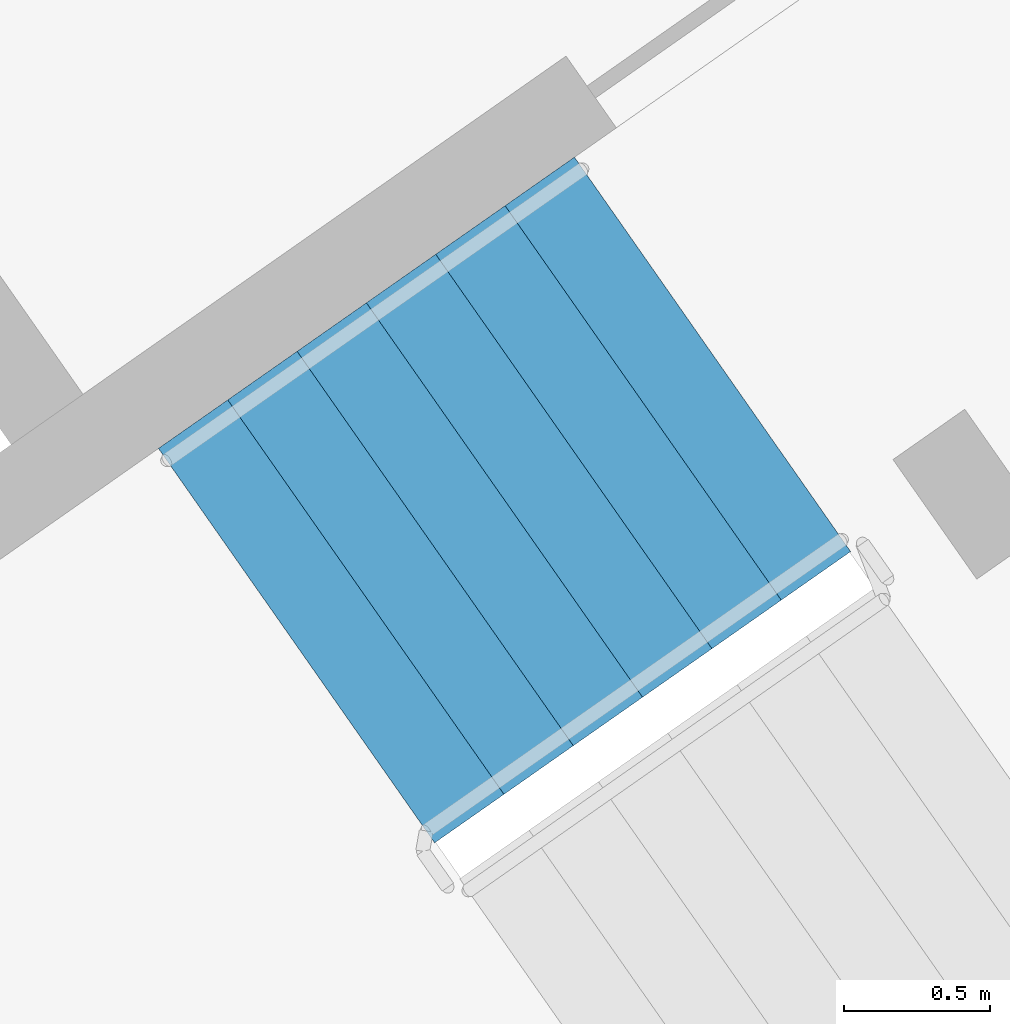
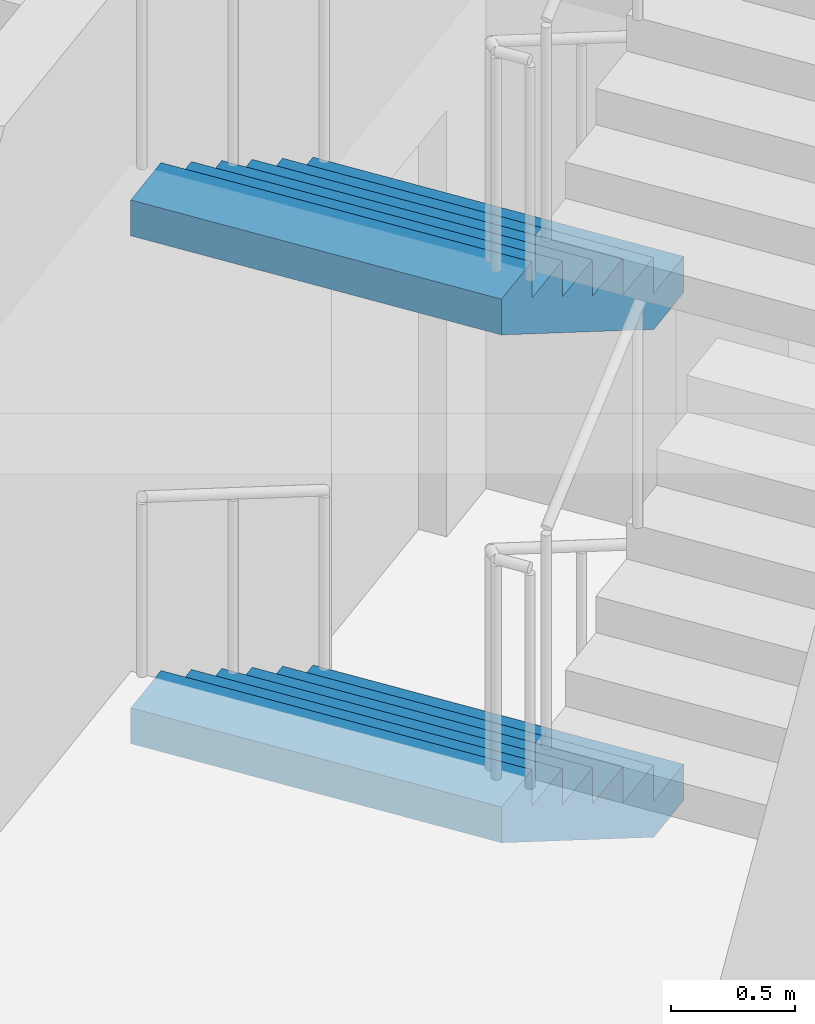
# One storey, part 20 of 25: 2 stair flights, 1 element without a shape of its own.
"""IFC4 building model written with IfcOpenShell, lengths in metres."""

from ifc_helpers import new_model, si_unit, direction, frame, origin, place, context, subcontext, project, spatial, faceted_brep, material, type_object, element, aggregate, save


model = new_model("IFC4")

# Units and contexts
model_context = context("Model", 3, precision=1e-05, world=origin(), true_north=direction((0.0, 1.0)))
body_context = subcontext(model_context, "Body", "Model", "MODEL_VIEW")
ifc_project = project(units=[si_unit("LENGTHUNIT", "METRE"), si_unit("AREAUNIT", "SQUARE_METRE"), si_unit("VOLUMEUNIT", "CUBIC_METRE"), si_unit("PLANEANGLEUNIT", "RADIAN"), si_unit("MASSUNIT", "GRAM", prefix="KILO")], contexts=[model_context])

# Site, building, storey
site_placement = place(None, origin())
site = spatial("IfcSite", under=ifc_project, at=site_placement, CompositionType="ELEMENT")
building_placement = place(site_placement, origin())
building = spatial("IfcBuilding", under=site, at=building_placement, Name="Qamariyya Broadcast Tower", CompositionType="ELEMENT")
storey_placement = place(building_placement, frame((0.0, 0.0, 144.300048828125)))
storey = spatial("IfcBuildingStorey", under=building, at=storey_placement, Name="L33", CompositionType="ELEMENT", Elevation=144.300048828125)

# Stair, stair flights
ifc_material = material(Name="Concrete C50/60", Category="concrete")
stair_type = type_object("IfcStairType", Name="Exit stair 28 risers of 179 mm", PredefinedType="HALF_TURN_STAIR", material=ifc_material)
stair_placement = place(storey_placement, origin())
stair = element("IfcStair", 1, at=stair_placement, inside=storey, type_object=stair_type, Name="L33 Stair E1", PredefinedType="HALF_TURN_STAIR")
stair_flight_type = type_object("IfcStairFlightType", Name="Exit stair flight 7 risers of 179 mm", PredefinedType="STRAIGHT", material=ifc_material)
stair_flight_1_placement = place(storey_placement, frame((46.036376953125, -55.508056640625, 0.0), z_axis=(0.0, 0.0, 1.0), x_axis=(-0.819152044289, -0.573576436351, 0.0)))
stair_flight_1 = element("IfcStairFlight", 2, at=stair_flight_1_placement, type_object=stair_flight_type, Name="ST-E1 flight 1", NumberOfRisers=7, NumberOfTreads=6, PredefinedType="STRAIGHT", RiserHeight=0.178571429, TreadLength=0.29, context=body_context, shape_type="Brep", body=[
    faceted_brep([(0.0, 0.824951171875, 0.0), (0.0, 0.824951171875, 0.178466796875), (0.2900390625, 0.824951171875, 0.178466796875), (0.2900390625, 0.824951171875, 0.357177734375), (0.580078125, 0.824951171875, 0.357177734375), (0.580078125, 0.824951171875, 0.53564453125), (0.8701171875, 0.824951171875, 0.53564453125), (0.8701171875, 0.824951171875, 0.71435546875), (1.159912109375, 0.824951171875, 0.71435546875), (1.159912109375, 0.824951171875, 0.892822265625), (1.449951171875, 0.824951171875, 0.892822265625), (1.449951171875, 0.824951171875, 1.071533203125), (1.739990234375, 0.824951171875, 1.071533203125), (1.739990234375, 0.824951171875, 0.8955078125), (0.285888671875, 0.824951171875, 0.0), (0.285888671875, -0.824951171875, 0.0), (1.739990234375, -0.824951171875, 0.8955078125), (1.739990234375, -0.824951171875, 1.071533203125), (1.449951171875, -0.824951171875, 1.071533203125), (1.449951171875, -0.824951171875, 0.892822265625), (1.159912109375, -0.824951171875, 0.892822265625), (1.159912109375, -0.824951171875, 0.71435546875), (0.8701171875, -0.824951171875, 0.71435546875), (0.8701171875, -0.824951171875, 0.53564453125), (0.580078125, -0.824951171875, 0.53564453125), (0.580078125, -0.824951171875, 0.357177734375), (0.2900390625, -0.824951171875, 0.357177734375), (0.2900390625, -0.824951171875, 0.178466796875), (0.0, -0.824951171875, 0.178466796875), (0.0, -0.824951171875, 0.0), (0.0, 0.10009765625, 0.0), (0.0, 0.086669921875, 0.0), (0.0, 0.0732421875, 0.0), (0.0, 0.06005859375, 0.0), (0.0, 0.046630859375, 0.0), (0.0, 0.033447265625, 0.0), (0.0, 0.02001953125, 0.0), (0.0, 0.006591796875, 0.0), (0.0, -0.006591796875, 0.0), (0.0, -0.02001953125, 0.0), (0.0, -0.033447265625, 0.0), (0.0, -0.046630859375, 0.0), (0.0, -0.06005859375, 0.0), (0.0, -0.0732421875, 0.0), (0.0, -0.086669921875, 0.0), (0.0, -0.10009765625, 0.0), (0.0, -0.10009765625, 0.178466796875), (0.0, -0.086669921875, 0.178466796875), (0.0, -0.0732421875, 0.178466796875), (0.0, -0.06005859375, 0.178466796875), (0.0, -0.046630859375, 0.178466796875), (0.0, -0.033447265625, 0.178466796875), (0.0, -0.02001953125, 0.178466796875), (0.0, -0.006591796875, 0.178466796875), (0.0, 0.006591796875, 0.178466796875), (0.0, 0.02001953125, 0.178466796875), (0.0, 0.033447265625, 0.178466796875), (0.0, 0.046630859375, 0.178466796875), (0.0, 0.06005859375, 0.178466796875), (0.0, 0.0732421875, 0.178466796875), (0.0, 0.086669921875, 0.178466796875), (0.0, 0.10009765625, 0.178466796875), (0.2900390625, -0.10009765625, 0.178466796875), (0.2900390625, -0.086669921875, 0.178466796875), (0.2900390625, -0.0732421875, 0.178466796875), (0.2900390625, -0.06005859375, 0.178466796875), (0.2900390625, -0.046630859375, 0.178466796875), (0.2900390625, -0.033447265625, 0.178466796875), (0.2900390625, -0.02001953125, 0.178466796875), (0.2900390625, -0.006591796875, 0.178466796875), (0.2900390625, 0.006591796875, 0.178466796875), (0.2900390625, 0.02001953125, 0.178466796875), (0.2900390625, 0.033447265625, 0.178466796875), (0.2900390625, 0.046630859375, 0.178466796875), (0.2900390625, 0.06005859375, 0.178466796875), (0.2900390625, 0.0732421875, 0.178466796875), (0.2900390625, 0.086669921875, 0.178466796875), (0.2900390625, 0.10009765625, 0.178466796875), (0.2900390625, -0.10009765625, 0.357177734375), (0.2900390625, -0.086669921875, 0.357177734375), (0.2900390625, -0.0732421875, 0.357177734375), (0.2900390625, -0.06005859375, 0.357177734375), (0.2900390625, -0.046630859375, 0.357177734375), (0.2900390625, -0.033447265625, 0.357177734375), (0.2900390625, -0.02001953125, 0.357177734375), (0.2900390625, -0.006591796875, 0.357177734375), (0.2900390625, 0.006591796875, 0.357177734375), (0.2900390625, 0.02001953125, 0.357177734375), (0.2900390625, 0.033447265625, 0.357177734375), (0.2900390625, 0.046630859375, 0.357177734375), (0.2900390625, 0.06005859375, 0.357177734375), (0.2900390625, 0.0732421875, 0.357177734375), (0.2900390625, 0.086669921875, 0.357177734375), (0.2900390625, 0.10009765625, 0.357177734375), (0.580078125, -0.10009765625, 0.357177734375), (0.580078125, -0.086669921875, 0.357177734375), (0.580078125, -0.0732421875, 0.357177734375), (0.580078125, -0.06005859375, 0.357177734375), (0.580078125, -0.046630859375, 0.357177734375), (0.580078125, -0.033447265625, 0.357177734375), (0.580078125, -0.02001953125, 0.357177734375), (0.580078125, -0.006591796875, 0.357177734375), (0.580078125, 0.006591796875, 0.357177734375), (0.580078125, 0.02001953125, 0.357177734375), (0.580078125, 0.033447265625, 0.357177734375), (0.580078125, 0.046630859375, 0.357177734375), (0.580078125, 0.06005859375, 0.357177734375), (0.580078125, 0.0732421875, 0.357177734375), (0.580078125, 0.086669921875, 0.357177734375), (0.580078125, 0.10009765625, 0.357177734375), (0.580078125, -0.10009765625, 0.53564453125), (0.580078125, -0.086669921875, 0.53564453125), (0.580078125, -0.0732421875, 0.53564453125), (0.580078125, -0.06005859375, 0.53564453125), (0.580078125, -0.046630859375, 0.53564453125), (0.580078125, -0.033447265625, 0.53564453125), (0.580078125, -0.02001953125, 0.53564453125), (0.580078125, -0.006591796875, 0.53564453125), (0.580078125, 0.006591796875, 0.53564453125), (0.580078125, 0.02001953125, 0.53564453125), (0.580078125, 0.033447265625, 0.53564453125), (0.580078125, 0.046630859375, 0.53564453125), (0.580078125, 0.06005859375, 0.53564453125), (0.580078125, 0.0732421875, 0.53564453125), (0.580078125, 0.086669921875, 0.53564453125), (0.580078125, 0.10009765625, 0.53564453125), (0.8701171875, -0.10009765625, 0.53564453125), (0.8701171875, -0.086669921875, 0.53564453125), (0.8701171875, -0.0732421875, 0.53564453125), (0.8701171875, -0.06005859375, 0.53564453125), (0.8701171875, -0.046630859375, 0.53564453125), (0.8701171875, -0.033447265625, 0.53564453125), (0.8701171875, -0.02001953125, 0.53564453125), (0.8701171875, -0.006591796875, 0.53564453125), (0.8701171875, 0.006591796875, 0.53564453125), (0.8701171875, 0.02001953125, 0.53564453125), (0.8701171875, 0.033447265625, 0.53564453125), (0.8701171875, 0.046630859375, 0.53564453125), (0.8701171875, 0.06005859375, 0.53564453125), (0.8701171875, 0.0732421875, 0.53564453125), (0.8701171875, 0.086669921875, 0.53564453125), (0.8701171875, 0.10009765625, 0.53564453125), (0.8701171875, -0.10009765625, 0.71435546875), (0.8701171875, -0.086669921875, 0.71435546875), (0.8701171875, -0.0732421875, 0.71435546875), (0.8701171875, -0.06005859375, 0.71435546875), (0.8701171875, -0.046630859375, 0.71435546875), (0.8701171875, -0.033447265625, 0.71435546875), (0.8701171875, -0.02001953125, 0.71435546875), (0.8701171875, -0.006591796875, 0.71435546875), (0.8701171875, 0.006591796875, 0.71435546875), (0.8701171875, 0.02001953125, 0.71435546875), (0.8701171875, 0.033447265625, 0.71435546875), (0.8701171875, 0.046630859375, 0.71435546875), (0.8701171875, 0.06005859375, 0.71435546875), (0.8701171875, 0.0732421875, 0.71435546875), (0.8701171875, 0.086669921875, 0.71435546875), (0.8701171875, 0.10009765625, 0.71435546875), (1.159912109375, -0.10009765625, 0.71435546875), (1.159912109375, -0.086669921875, 0.71435546875), (1.159912109375, -0.0732421875, 0.71435546875), (1.159912109375, -0.06005859375, 0.71435546875), (1.159912109375, -0.046630859375, 0.71435546875), (1.159912109375, -0.033447265625, 0.71435546875), (1.159912109375, -0.02001953125, 0.71435546875), (1.159912109375, -0.006591796875, 0.71435546875), (1.159912109375, 0.006591796875, 0.71435546875), (1.159912109375, 0.02001953125, 0.71435546875), (1.159912109375, 0.033447265625, 0.71435546875), (1.159912109375, 0.046630859375, 0.71435546875), (1.159912109375, 0.06005859375, 0.71435546875), (1.159912109375, 0.0732421875, 0.71435546875), (1.159912109375, 0.086669921875, 0.71435546875), (1.159912109375, 0.10009765625, 0.71435546875), (1.159912109375, -0.10009765625, 0.892822265625), (1.159912109375, -0.086669921875, 0.892822265625), (1.159912109375, -0.0732421875, 0.892822265625), (1.159912109375, -0.06005859375, 0.892822265625), (1.159912109375, -0.046630859375, 0.892822265625), (1.159912109375, -0.033447265625, 0.892822265625), (1.159912109375, -0.02001953125, 0.892822265625), (1.159912109375, -0.006591796875, 0.892822265625), (1.159912109375, 0.006591796875, 0.892822265625), (1.159912109375, 0.02001953125, 0.892822265625), (1.159912109375, 0.033447265625, 0.892822265625), (1.159912109375, 0.046630859375, 0.892822265625), (1.159912109375, 0.06005859375, 0.892822265625), (1.159912109375, 0.0732421875, 0.892822265625), (1.159912109375, 0.086669921875, 0.892822265625), (1.159912109375, 0.10009765625, 0.892822265625), (1.449951171875, -0.10009765625, 0.892822265625), (1.449951171875, -0.086669921875, 0.892822265625), (1.449951171875, -0.0732421875, 0.892822265625), (1.449951171875, -0.06005859375, 0.892822265625), (1.449951171875, -0.046630859375, 0.892822265625), (1.449951171875, -0.033447265625, 0.892822265625), (1.449951171875, -0.02001953125, 0.892822265625), (1.449951171875, -0.006591796875, 0.892822265625), (1.449951171875, 0.006591796875, 0.892822265625), (1.449951171875, 0.02001953125, 0.892822265625), (1.449951171875, 0.033447265625, 0.892822265625), (1.449951171875, 0.046630859375, 0.892822265625), (1.449951171875, 0.06005859375, 0.892822265625), (1.449951171875, 0.0732421875, 0.892822265625), (1.449951171875, 0.086669921875, 0.892822265625), (1.449951171875, 0.10009765625, 0.892822265625), (1.449951171875, -0.10009765625, 1.071533203125), (1.449951171875, -0.086669921875, 1.071533203125), (1.449951171875, -0.0732421875, 1.071533203125), (1.449951171875, -0.06005859375, 1.071533203125), (1.449951171875, -0.046630859375, 1.071533203125), (1.449951171875, -0.033447265625, 1.071533203125), (1.449951171875, -0.02001953125, 1.071533203125), (1.449951171875, -0.006591796875, 1.071533203125), (1.449951171875, 0.006591796875, 1.071533203125), (1.449951171875, 0.02001953125, 1.071533203125), (1.449951171875, 0.033447265625, 1.071533203125), (1.449951171875, 0.046630859375, 1.071533203125), (1.449951171875, 0.06005859375, 1.071533203125), (1.449951171875, 0.0732421875, 1.071533203125), (1.449951171875, 0.086669921875, 1.071533203125), (1.449951171875, 0.10009765625, 1.071533203125), (1.739990234375, -0.10009765625, 1.071533203125), (1.739990234375, -0.086669921875, 1.071533203125), (1.739990234375, -0.0732421875, 1.071533203125), (1.739990234375, -0.06005859375, 1.071533203125), (1.739990234375, -0.046630859375, 1.071533203125), (1.739990234375, -0.033447265625, 1.071533203125), (1.739990234375, -0.02001953125, 1.071533203125), (1.739990234375, -0.006591796875, 1.071533203125), (1.739990234375, 0.006591796875, 1.071533203125), (1.739990234375, 0.02001953125, 1.071533203125), (1.739990234375, 0.033447265625, 1.071533203125), (1.739990234375, 0.046630859375, 1.071533203125), (1.739990234375, 0.06005859375, 1.071533203125), (1.739990234375, 0.0732421875, 1.071533203125), (1.739990234375, 0.086669921875, 1.071533203125), (1.739990234375, 0.10009765625, 1.071533203125), (1.739990234375, -0.10009765625, 0.8955078125), (1.739990234375, -0.086669921875, 0.8955078125), (1.739990234375, -0.0732421875, 0.8955078125), (1.739990234375, -0.06005859375, 0.8955078125), (1.739990234375, -0.046630859375, 0.8955078125), (1.739990234375, -0.033447265625, 0.8955078125), (1.739990234375, -0.02001953125, 0.8955078125), (1.739990234375, -0.006591796875, 0.8955078125), (1.739990234375, 0.006591796875, 0.8955078125), (1.739990234375, 0.02001953125, 0.8955078125), (1.739990234375, 0.033447265625, 0.8955078125), (1.739990234375, 0.046630859375, 0.8955078125), (1.739990234375, 0.06005859375, 0.8955078125), (1.739990234375, 0.0732421875, 0.8955078125), (1.739990234375, 0.086669921875, 0.8955078125), (1.739990234375, 0.10009765625, 0.8955078125), (0.285888671875, -0.10009765625, 0.0), (0.285888671875, -0.086669921875, 0.0), (0.285888671875, -0.0732421875, 0.0), (0.285888671875, -0.06005859375, 0.0), (0.285888671875, -0.046630859375, 0.0), (0.285888671875, -0.033447265625, 0.0), (0.285888671875, -0.02001953125, 0.0), (0.285888671875, -0.006591796875, 0.0), (0.285888671875, 0.006591796875, 0.0), (0.285888671875, 0.02001953125, 0.0), (0.285888671875, 0.033447265625, 0.0), (0.285888671875, 0.046630859375, 0.0), (0.285888671875, 0.06005859375, 0.0), (0.285888671875, 0.0732421875, 0.0), (0.285888671875, 0.086669921875, 0.0), (0.285888671875, 0.10009765625, 0.0)], [[[0, 1, 2, 3, 4, 5, 6, 7, 8, 9, 10, 11, 12, 13, 14]], [[15, 16, 17, 18, 19, 20, 21, 22, 23, 24, 25, 26, 27, 28, 29]], [[0, 30, 31, 32, 33, 34, 35, 36, 37, 38, 39, 40, 41, 42, 43, 44, 45, 29, 28, 46, 47, 48, 49, 50, 51, 52, 53, 54, 55, 56, 57, 58, 59, 60, 61, 1]], [[1, 61, 60, 59, 58, 57, 56, 55, 54, 53, 52, 51, 50, 49, 48, 47, 46, 28, 27, 62, 63, 64, 65, 66, 67, 68, 69, 70, 71, 72, 73, 74, 75, 76, 77, 2]], [[2, 77, 76, 75, 74, 73, 72, 71, 70, 69, 68, 67, 66, 65, 64, 63, 62, 27, 26, 78, 79, 80, 81, 82, 83, 84, 85, 86, 87, 88, 89, 90, 91, 92, 93, 3]], [[3, 93, 92, 91, 90, 89, 88, 87, 86, 85, 84, 83, 82, 81, 80, 79, 78, 26, 25, 94, 95, 96, 97, 98, 99, 100, 101, 102, 103, 104, 105, 106, 107, 108, 109, 4]], [[4, 109, 108, 107, 106, 105, 104, 103, 102, 101, 100, 99, 98, 97, 96, 95, 94, 25, 24, 110, 111, 112, 113, 114, 115, 116, 117, 118, 119, 120, 121, 122, 123, 124, 125, 5]], [[5, 125, 124, 123, 122, 121, 120, 119, 118, 117, 116, 115, 114, 113, 112, 111, 110, 24, 23, 126, 127, 128, 129, 130, 131, 132, 133, 134, 135, 136, 137, 138, 139, 140, 141, 6]], [[6, 141, 140, 139, 138, 137, 136, 135, 134, 133, 132, 131, 130, 129, 128, 127, 126, 23, 22, 142, 143, 144, 145, 146, 147, 148, 149, 150, 151, 152, 153, 154, 155, 156, 157, 7]], [[7, 157, 156, 155, 154, 153, 152, 151, 150, 149, 148, 147, 146, 145, 144, 143, 142, 22, 21, 158, 159, 160, 161, 162, 163, 164, 165, 166, 167, 168, 169, 170, 171, 172, 173, 8]], [[8, 173, 172, 171, 170, 169, 168, 167, 166, 165, 164, 163, 162, 161, 160, 159, 158, 21, 20, 174, 175, 176, 177, 178, 179, 180, 181, 182, 183, 184, 185, 186, 187, 188, 189, 9]], [[9, 189, 188, 187, 186, 185, 184, 183, 182, 181, 180, 179, 178, 177, 176, 175, 174, 20, 19, 190, 191, 192, 193, 194, 195, 196, 197, 198, 199, 200, 201, 202, 203, 204, 205, 10]], [[10, 205, 204, 203, 202, 201, 200, 199, 198, 197, 196, 195, 194, 193, 192, 191, 190, 19, 18, 206, 207, 208, 209, 210, 211, 212, 213, 214, 215, 216, 217, 218, 219, 220, 221, 11]], [[11, 221, 220, 219, 218, 217, 216, 215, 214, 213, 212, 211, 210, 209, 208, 207, 206, 18, 17, 222, 223, 224, 225, 226, 227, 228, 229, 230, 231, 232, 233, 234, 235, 236, 237, 12]], [[12, 237, 236, 235, 234, 233, 232, 231, 230, 229, 228, 227, 226, 225, 224, 223, 222, 17, 16, 238, 239, 240, 241, 242, 243, 244, 245, 246, 247, 248, 249, 250, 251, 252, 253, 13]], [[13, 253, 252, 251, 250, 249, 248, 247, 246, 245, 244, 243, 242, 241, 240, 239, 238, 16, 15, 254, 255, 256, 257, 258, 259, 260, 261, 262, 263, 264, 265, 266, 267, 268, 269, 14]], [[14, 269, 268, 267, 266, 265, 264, 263, 262, 261, 260, 259, 258, 257, 256, 255, 254, 15, 29, 45, 44, 43, 42, 41, 40, 39, 38, 37, 36, 35, 34, 33, 32, 31, 30, 0]]]),
])
stair_flight_2_placement = place(storey_placement, frame((46.036376953125, -55.508056640625, 2.5), z_axis=(0.0, 0.0, 1.0), x_axis=(-0.819152044289, -0.573576436351, 0.0)))
stair_flight_2 = element("IfcStairFlight", 3, at=stair_flight_2_placement, type_object=stair_flight_type, Name="ST-E1 flight 3", NumberOfRisers=7, NumberOfTreads=6, PredefinedType="STRAIGHT", RiserHeight=0.178571429, TreadLength=0.29, context=body_context, shape_type="Brep", body=[
    faceted_brep([(0.0, 0.824951171875, 0.0), (0.0, 0.824951171875, 0.178466796875), (0.2900390625, 0.824951171875, 0.178466796875), (0.2900390625, 0.824951171875, 0.357177734375), (0.580078125, 0.824951171875, 0.357177734375), (0.580078125, 0.824951171875, 0.53564453125), (0.8701171875, 0.824951171875, 0.53564453125), (0.8701171875, 0.824951171875, 0.71435546875), (1.159912109375, 0.824951171875, 0.71435546875), (1.159912109375, 0.824951171875, 0.892822265625), (1.449951171875, 0.824951171875, 0.892822265625), (1.449951171875, 0.824951171875, 1.071533203125), (1.739990234375, 0.824951171875, 1.071533203125), (1.739990234375, 0.824951171875, 0.8955078125), (0.285888671875, 0.824951171875, 0.0), (0.285888671875, -0.824951171875, 0.0), (1.739990234375, -0.824951171875, 0.8955078125), (1.739990234375, -0.824951171875, 1.071533203125), (1.449951171875, -0.824951171875, 1.071533203125), (1.449951171875, -0.824951171875, 0.892822265625), (1.159912109375, -0.824951171875, 0.892822265625), (1.159912109375, -0.824951171875, 0.71435546875), (0.8701171875, -0.824951171875, 0.71435546875), (0.8701171875, -0.824951171875, 0.53564453125), (0.580078125, -0.824951171875, 0.53564453125), (0.580078125, -0.824951171875, 0.357177734375), (0.2900390625, -0.824951171875, 0.357177734375), (0.2900390625, -0.824951171875, 0.178466796875), (0.0, -0.824951171875, 0.178466796875), (0.0, -0.824951171875, 0.0), (0.0, 0.10009765625, 0.0), (0.0, 0.086669921875, 0.0), (0.0, 0.0732421875, 0.0), (0.0, 0.06005859375, 0.0), (0.0, 0.046630859375, 0.0), (0.0, 0.033447265625, 0.0), (0.0, 0.02001953125, 0.0), (0.0, 0.006591796875, 0.0), (0.0, -0.006591796875, 0.0), (0.0, -0.02001953125, 0.0), (0.0, -0.033447265625, 0.0), (0.0, -0.046630859375, 0.0), (0.0, -0.06005859375, 0.0), (0.0, -0.0732421875, 0.0), (0.0, -0.086669921875, 0.0), (0.0, -0.10009765625, 0.0), (0.0, -0.10009765625, 0.178466796875), (0.0, -0.086669921875, 0.178466796875), (0.0, -0.0732421875, 0.178466796875), (0.0, -0.06005859375, 0.178466796875), (0.0, -0.046630859375, 0.178466796875), (0.0, -0.033447265625, 0.178466796875), (0.0, -0.02001953125, 0.178466796875), (0.0, -0.006591796875, 0.178466796875), (0.0, 0.006591796875, 0.178466796875), (0.0, 0.02001953125, 0.178466796875), (0.0, 0.033447265625, 0.178466796875), (0.0, 0.046630859375, 0.178466796875), (0.0, 0.06005859375, 0.178466796875), (0.0, 0.0732421875, 0.178466796875), (0.0, 0.086669921875, 0.178466796875), (0.0, 0.10009765625, 0.178466796875), (0.2900390625, -0.10009765625, 0.178466796875), (0.2900390625, -0.086669921875, 0.178466796875), (0.2900390625, -0.0732421875, 0.178466796875), (0.2900390625, -0.06005859375, 0.178466796875), (0.2900390625, -0.046630859375, 0.178466796875), (0.2900390625, -0.033447265625, 0.178466796875), (0.2900390625, -0.02001953125, 0.178466796875), (0.2900390625, -0.006591796875, 0.178466796875), (0.2900390625, 0.006591796875, 0.178466796875), (0.2900390625, 0.02001953125, 0.178466796875), (0.2900390625, 0.033447265625, 0.178466796875), (0.2900390625, 0.046630859375, 0.178466796875), (0.2900390625, 0.06005859375, 0.178466796875), (0.2900390625, 0.0732421875, 0.178466796875), (0.2900390625, 0.086669921875, 0.178466796875), (0.2900390625, 0.10009765625, 0.178466796875), (0.2900390625, -0.10009765625, 0.357177734375), (0.2900390625, -0.086669921875, 0.357177734375), (0.2900390625, -0.0732421875, 0.357177734375), (0.2900390625, -0.06005859375, 0.357177734375), (0.2900390625, -0.046630859375, 0.357177734375), (0.2900390625, -0.033447265625, 0.357177734375), (0.2900390625, -0.02001953125, 0.357177734375), (0.2900390625, -0.006591796875, 0.357177734375), (0.2900390625, 0.006591796875, 0.357177734375), (0.2900390625, 0.02001953125, 0.357177734375), (0.2900390625, 0.033447265625, 0.357177734375), (0.2900390625, 0.046630859375, 0.357177734375), (0.2900390625, 0.06005859375, 0.357177734375), (0.2900390625, 0.0732421875, 0.357177734375), (0.2900390625, 0.086669921875, 0.357177734375), (0.2900390625, 0.10009765625, 0.357177734375), (0.580078125, -0.10009765625, 0.357177734375), (0.580078125, -0.086669921875, 0.357177734375), (0.580078125, -0.0732421875, 0.357177734375), (0.580078125, -0.06005859375, 0.357177734375), (0.580078125, -0.046630859375, 0.357177734375), (0.580078125, -0.033447265625, 0.357177734375), (0.580078125, -0.02001953125, 0.357177734375), (0.580078125, -0.006591796875, 0.357177734375), (0.580078125, 0.006591796875, 0.357177734375), (0.580078125, 0.02001953125, 0.357177734375), (0.580078125, 0.033447265625, 0.357177734375), (0.580078125, 0.046630859375, 0.357177734375), (0.580078125, 0.06005859375, 0.357177734375), (0.580078125, 0.0732421875, 0.357177734375), (0.580078125, 0.086669921875, 0.357177734375), (0.580078125, 0.10009765625, 0.357177734375), (0.580078125, -0.10009765625, 0.53564453125), (0.580078125, -0.086669921875, 0.53564453125), (0.580078125, -0.0732421875, 0.53564453125), (0.580078125, -0.06005859375, 0.53564453125), (0.580078125, -0.046630859375, 0.53564453125), (0.580078125, -0.033447265625, 0.53564453125), (0.580078125, -0.02001953125, 0.53564453125), (0.580078125, -0.006591796875, 0.53564453125), (0.580078125, 0.006591796875, 0.53564453125), (0.580078125, 0.02001953125, 0.53564453125), (0.580078125, 0.033447265625, 0.53564453125), (0.580078125, 0.046630859375, 0.53564453125), (0.580078125, 0.06005859375, 0.53564453125), (0.580078125, 0.0732421875, 0.53564453125), (0.580078125, 0.086669921875, 0.53564453125), (0.580078125, 0.10009765625, 0.53564453125), (0.8701171875, -0.10009765625, 0.53564453125), (0.8701171875, -0.086669921875, 0.53564453125), (0.8701171875, -0.0732421875, 0.53564453125), (0.8701171875, -0.06005859375, 0.53564453125), (0.8701171875, -0.046630859375, 0.53564453125), (0.8701171875, -0.033447265625, 0.53564453125), (0.8701171875, -0.02001953125, 0.53564453125), (0.8701171875, -0.006591796875, 0.53564453125), (0.8701171875, 0.006591796875, 0.53564453125), (0.8701171875, 0.02001953125, 0.53564453125), (0.8701171875, 0.033447265625, 0.53564453125), (0.8701171875, 0.046630859375, 0.53564453125), (0.8701171875, 0.06005859375, 0.53564453125), (0.8701171875, 0.0732421875, 0.53564453125), (0.8701171875, 0.086669921875, 0.53564453125), (0.8701171875, 0.10009765625, 0.53564453125), (0.8701171875, -0.10009765625, 0.71435546875), (0.8701171875, -0.086669921875, 0.71435546875), (0.8701171875, -0.0732421875, 0.71435546875), (0.8701171875, -0.06005859375, 0.71435546875), (0.8701171875, -0.046630859375, 0.71435546875), (0.8701171875, -0.033447265625, 0.71435546875), (0.8701171875, -0.02001953125, 0.71435546875), (0.8701171875, -0.006591796875, 0.71435546875), (0.8701171875, 0.006591796875, 0.71435546875), (0.8701171875, 0.02001953125, 0.71435546875), (0.8701171875, 0.033447265625, 0.71435546875), (0.8701171875, 0.046630859375, 0.71435546875), (0.8701171875, 0.06005859375, 0.71435546875), (0.8701171875, 0.0732421875, 0.71435546875), (0.8701171875, 0.086669921875, 0.71435546875), (0.8701171875, 0.10009765625, 0.71435546875), (1.159912109375, -0.10009765625, 0.71435546875), (1.159912109375, -0.086669921875, 0.71435546875), (1.159912109375, -0.0732421875, 0.71435546875), (1.159912109375, -0.06005859375, 0.71435546875), (1.159912109375, -0.046630859375, 0.71435546875), (1.159912109375, -0.033447265625, 0.71435546875), (1.159912109375, -0.02001953125, 0.71435546875), (1.159912109375, -0.006591796875, 0.71435546875), (1.159912109375, 0.006591796875, 0.71435546875), (1.159912109375, 0.02001953125, 0.71435546875), (1.159912109375, 0.033447265625, 0.71435546875), (1.159912109375, 0.046630859375, 0.71435546875), (1.159912109375, 0.06005859375, 0.71435546875), (1.159912109375, 0.0732421875, 0.71435546875), (1.159912109375, 0.086669921875, 0.71435546875), (1.159912109375, 0.10009765625, 0.71435546875), (1.159912109375, -0.10009765625, 0.892822265625), (1.159912109375, -0.086669921875, 0.892822265625), (1.159912109375, -0.0732421875, 0.892822265625), (1.159912109375, -0.06005859375, 0.892822265625), (1.159912109375, -0.046630859375, 0.892822265625), (1.159912109375, -0.033447265625, 0.892822265625), (1.159912109375, -0.02001953125, 0.892822265625), (1.159912109375, -0.006591796875, 0.892822265625), (1.159912109375, 0.006591796875, 0.892822265625), (1.159912109375, 0.02001953125, 0.892822265625), (1.159912109375, 0.033447265625, 0.892822265625), (1.159912109375, 0.046630859375, 0.892822265625), (1.159912109375, 0.06005859375, 0.892822265625), (1.159912109375, 0.0732421875, 0.892822265625), (1.159912109375, 0.086669921875, 0.892822265625), (1.159912109375, 0.10009765625, 0.892822265625), (1.449951171875, -0.10009765625, 0.892822265625), (1.449951171875, -0.086669921875, 0.892822265625), (1.449951171875, -0.0732421875, 0.892822265625), (1.449951171875, -0.06005859375, 0.892822265625), (1.449951171875, -0.046630859375, 0.892822265625), (1.449951171875, -0.033447265625, 0.892822265625), (1.449951171875, -0.02001953125, 0.892822265625), (1.449951171875, -0.006591796875, 0.892822265625), (1.449951171875, 0.006591796875, 0.892822265625), (1.449951171875, 0.02001953125, 0.892822265625), (1.449951171875, 0.033447265625, 0.892822265625), (1.449951171875, 0.046630859375, 0.892822265625), (1.449951171875, 0.06005859375, 0.892822265625), (1.449951171875, 0.0732421875, 0.892822265625), (1.449951171875, 0.086669921875, 0.892822265625), (1.449951171875, 0.10009765625, 0.892822265625), (1.449951171875, -0.10009765625, 1.071533203125), (1.449951171875, -0.086669921875, 1.071533203125), (1.449951171875, -0.0732421875, 1.071533203125), (1.449951171875, -0.06005859375, 1.071533203125), (1.449951171875, -0.046630859375, 1.071533203125), (1.449951171875, -0.033447265625, 1.071533203125), (1.449951171875, -0.02001953125, 1.071533203125), (1.449951171875, -0.006591796875, 1.071533203125), (1.449951171875, 0.006591796875, 1.071533203125), (1.449951171875, 0.02001953125, 1.071533203125), (1.449951171875, 0.033447265625, 1.071533203125), (1.449951171875, 0.046630859375, 1.071533203125), (1.449951171875, 0.06005859375, 1.071533203125), (1.449951171875, 0.0732421875, 1.071533203125), (1.449951171875, 0.086669921875, 1.071533203125), (1.449951171875, 0.10009765625, 1.071533203125), (1.739990234375, -0.10009765625, 1.071533203125), (1.739990234375, -0.086669921875, 1.071533203125), (1.739990234375, -0.0732421875, 1.071533203125), (1.739990234375, -0.06005859375, 1.071533203125), (1.739990234375, -0.046630859375, 1.071533203125), (1.739990234375, -0.033447265625, 1.071533203125), (1.739990234375, -0.02001953125, 1.071533203125), (1.739990234375, -0.006591796875, 1.071533203125), (1.739990234375, 0.006591796875, 1.071533203125), (1.739990234375, 0.02001953125, 1.071533203125), (1.739990234375, 0.033447265625, 1.071533203125), (1.739990234375, 0.046630859375, 1.071533203125), (1.739990234375, 0.06005859375, 1.071533203125), (1.739990234375, 0.0732421875, 1.071533203125), (1.739990234375, 0.086669921875, 1.071533203125), (1.739990234375, 0.10009765625, 1.071533203125), (1.739990234375, -0.10009765625, 0.8955078125), (1.739990234375, -0.086669921875, 0.8955078125), (1.739990234375, -0.0732421875, 0.8955078125), (1.739990234375, -0.06005859375, 0.8955078125), (1.739990234375, -0.046630859375, 0.8955078125), (1.739990234375, -0.033447265625, 0.8955078125), (1.739990234375, -0.02001953125, 0.8955078125), (1.739990234375, -0.006591796875, 0.8955078125), (1.739990234375, 0.006591796875, 0.8955078125), (1.739990234375, 0.02001953125, 0.8955078125), (1.739990234375, 0.033447265625, 0.8955078125), (1.739990234375, 0.046630859375, 0.8955078125), (1.739990234375, 0.06005859375, 0.8955078125), (1.739990234375, 0.0732421875, 0.8955078125), (1.739990234375, 0.086669921875, 0.8955078125), (1.739990234375, 0.10009765625, 0.8955078125), (0.285888671875, -0.10009765625, 0.0), (0.285888671875, -0.086669921875, 0.0), (0.285888671875, -0.0732421875, 0.0), (0.285888671875, -0.06005859375, 0.0), (0.285888671875, -0.046630859375, 0.0), (0.285888671875, -0.033447265625, 0.0), (0.285888671875, -0.02001953125, 0.0), (0.285888671875, -0.006591796875, 0.0), (0.285888671875, 0.006591796875, 0.0), (0.285888671875, 0.02001953125, 0.0), (0.285888671875, 0.033447265625, 0.0), (0.285888671875, 0.046630859375, 0.0), (0.285888671875, 0.06005859375, 0.0), (0.285888671875, 0.0732421875, 0.0), (0.285888671875, 0.086669921875, 0.0), (0.285888671875, 0.10009765625, 0.0)], [[[0, 1, 2, 3, 4, 5, 6, 7, 8, 9, 10, 11, 12, 13, 14]], [[15, 16, 17, 18, 19, 20, 21, 22, 23, 24, 25, 26, 27, 28, 29]], [[0, 30, 31, 32, 33, 34, 35, 36, 37, 38, 39, 40, 41, 42, 43, 44, 45, 29, 28, 46, 47, 48, 49, 50, 51, 52, 53, 54, 55, 56, 57, 58, 59, 60, 61, 1]], [[1, 61, 60, 59, 58, 57, 56, 55, 54, 53, 52, 51, 50, 49, 48, 47, 46, 28, 27, 62, 63, 64, 65, 66, 67, 68, 69, 70, 71, 72, 73, 74, 75, 76, 77, 2]], [[2, 77, 76, 75, 74, 73, 72, 71, 70, 69, 68, 67, 66, 65, 64, 63, 62, 27, 26, 78, 79, 80, 81, 82, 83, 84, 85, 86, 87, 88, 89, 90, 91, 92, 93, 3]], [[3, 93, 92, 91, 90, 89, 88, 87, 86, 85, 84, 83, 82, 81, 80, 79, 78, 26, 25, 94, 95, 96, 97, 98, 99, 100, 101, 102, 103, 104, 105, 106, 107, 108, 109, 4]], [[4, 109, 108, 107, 106, 105, 104, 103, 102, 101, 100, 99, 98, 97, 96, 95, 94, 25, 24, 110, 111, 112, 113, 114, 115, 116, 117, 118, 119, 120, 121, 122, 123, 124, 125, 5]], [[5, 125, 124, 123, 122, 121, 120, 119, 118, 117, 116, 115, 114, 113, 112, 111, 110, 24, 23, 126, 127, 128, 129, 130, 131, 132, 133, 134, 135, 136, 137, 138, 139, 140, 141, 6]], [[6, 141, 140, 139, 138, 137, 136, 135, 134, 133, 132, 131, 130, 129, 128, 127, 126, 23, 22, 142, 143, 144, 145, 146, 147, 148, 149, 150, 151, 152, 153, 154, 155, 156, 157, 7]], [[7, 157, 156, 155, 154, 153, 152, 151, 150, 149, 148, 147, 146, 145, 144, 143, 142, 22, 21, 158, 159, 160, 161, 162, 163, 164, 165, 166, 167, 168, 169, 170, 171, 172, 173, 8]], [[8, 173, 172, 171, 170, 169, 168, 167, 166, 165, 164, 163, 162, 161, 160, 159, 158, 21, 20, 174, 175, 176, 177, 178, 179, 180, 181, 182, 183, 184, 185, 186, 187, 188, 189, 9]], [[9, 189, 188, 187, 186, 185, 184, 183, 182, 181, 180, 179, 178, 177, 176, 175, 174, 20, 19, 190, 191, 192, 193, 194, 195, 196, 197, 198, 199, 200, 201, 202, 203, 204, 205, 10]], [[10, 205, 204, 203, 202, 201, 200, 199, 198, 197, 196, 195, 194, 193, 192, 191, 190, 19, 18, 206, 207, 208, 209, 210, 211, 212, 213, 214, 215, 216, 217, 218, 219, 220, 221, 11]], [[11, 221, 220, 219, 218, 217, 216, 215, 214, 213, 212, 211, 210, 209, 208, 207, 206, 18, 17, 222, 223, 224, 225, 226, 227, 228, 229, 230, 231, 232, 233, 234, 235, 236, 237, 12]], [[12, 237, 236, 235, 234, 233, 232, 231, 230, 229, 228, 227, 226, 225, 224, 223, 222, 17, 16, 238, 239, 240, 241, 242, 243, 244, 245, 246, 247, 248, 249, 250, 251, 252, 253, 13]], [[13, 253, 252, 251, 250, 249, 248, 247, 246, 245, 244, 243, 242, 241, 240, 239, 238, 16, 15, 254, 255, 256, 257, 258, 259, 260, 261, 262, 263, 264, 265, 266, 267, 268, 269, 14]], [[14, 269, 268, 267, 266, 265, 264, 263, 262, 261, 260, 259, 258, 257, 256, 255, 254, 15, 29, 45, 44, 43, 42, 41, 40, 39, 38, 37, 36, 35, 34, 33, 32, 31, 30, 0]]]),
])
aggregate(stair, [stair_flight_1, stair_flight_2])

save(model, "model.ifc")
